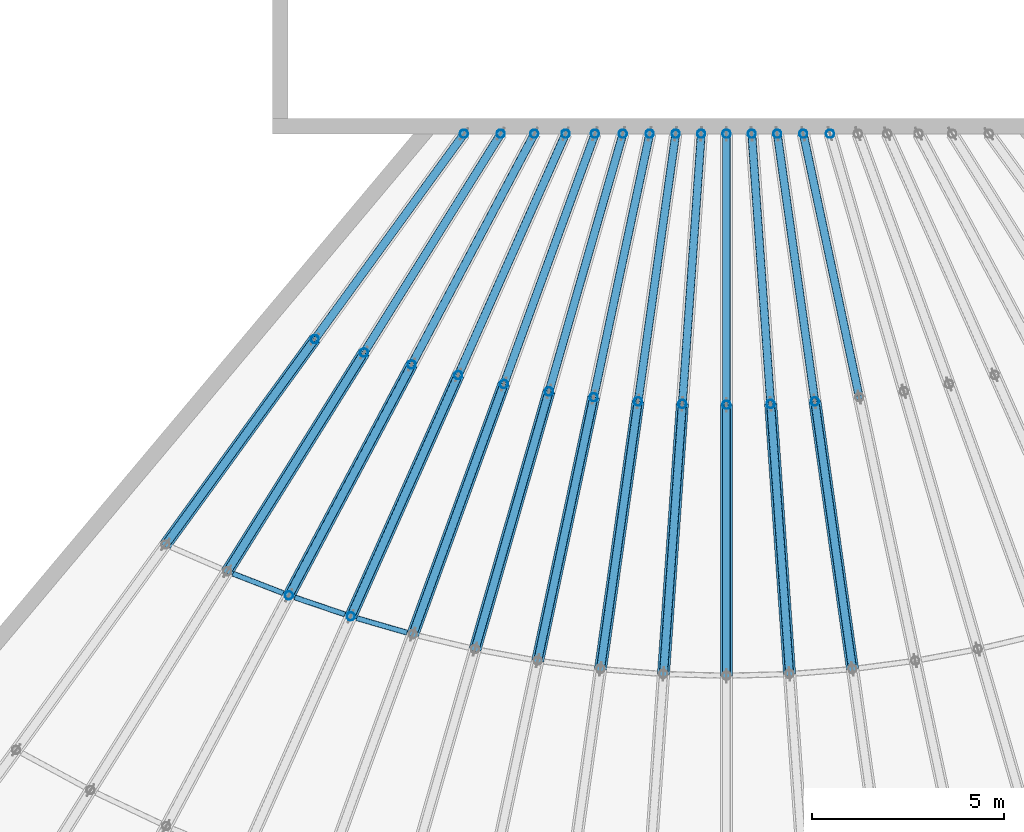
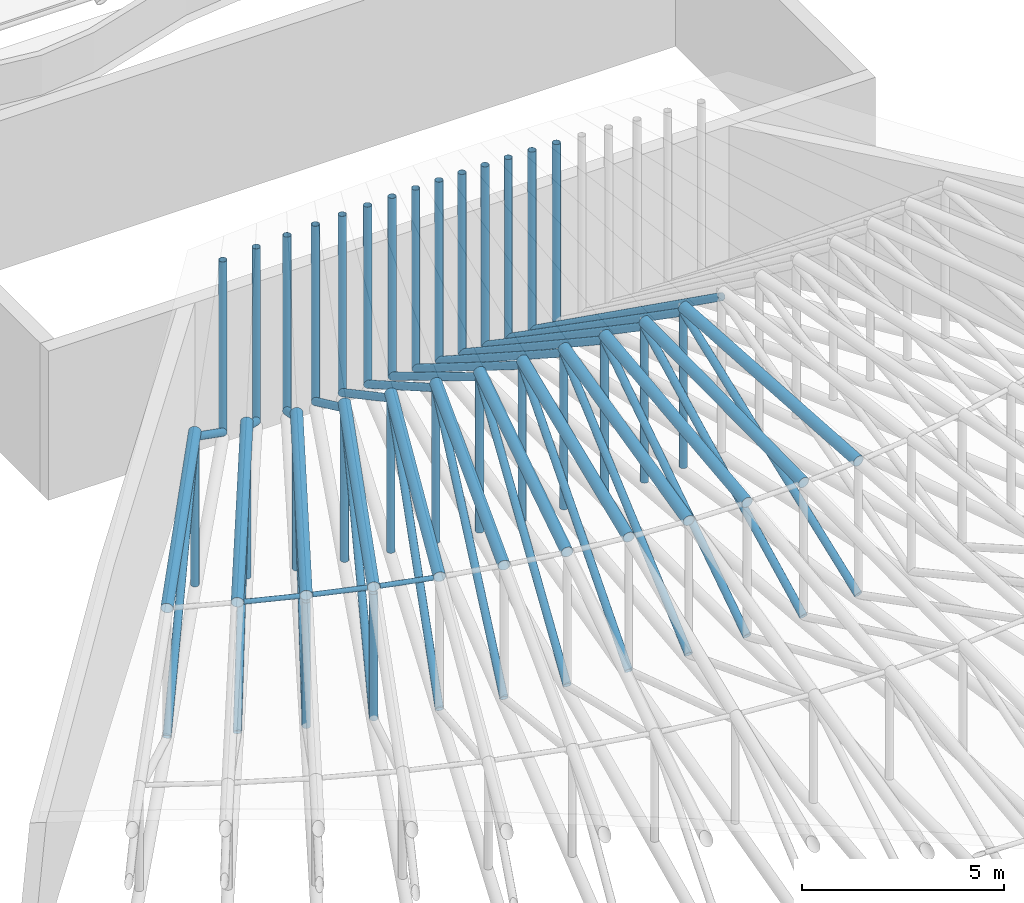
# One storey, part 43 of 163: 68 members.
"""IFC4 building model written with IfcOpenShell, lengths in metres."""

from ifc_helpers import new_model, si_unit, direction, frame, origin, origin_2d, place, context, subcontext, project, spatial, hollow_circle, extrude, material, material_profile, profile_set, type_object, element, save


model = new_model("IFC4")

# Units and contexts
model_context = context("Model", 3, precision=1e-05, world=origin(), true_north=direction((0.0, 1.0)))
body_context = subcontext(model_context, "Body", "Model", "MODEL_VIEW")
ifc_project = project(units=[si_unit("LENGTHUNIT", "METRE"), si_unit("AREAUNIT", "SQUARE_METRE"), si_unit("VOLUMEUNIT", "CUBIC_METRE"), si_unit("PLANEANGLEUNIT", "RADIAN"), si_unit("MASSUNIT", "GRAM", prefix="KILO")], contexts=[model_context])

# Site, building, storey
site_placement = place(None, origin())
site = spatial("IfcSite", under=ifc_project, at=site_placement, CompositionType="ELEMENT")
building_placement = place(site_placement, origin())
building = spatial("IfcBuilding", under=site, at=building_placement, Name="Rain Tree Exposition and Congress Centre", CompositionType="ELEMENT")
storey_placement = place(building_placement, frame((0.0, 0.0, 10.5)))
storey = spatial("IfcBuildingStorey", under=building, at=storey_placement, Name="L02", CompositionType="ELEMENT", Elevation=10.5)

# Members
ifc_material_1 = material(Name="Steel S355J2H", Category="steel")
ifc_material_profile_1 = material_profile(ifc_material_1, hollow_circle(Radius=0.108154296875, WallThickness=0.008056640625, at=origin_2d()), Name="CHS 216x8")
ifc_profile_set_1 = profile_set([ifc_material_profile_1], Name="Steel S355J2H")
member_type_1 = type_object("IfcMemberType", Name="Steel brace member CHS 216x8", PredefinedType="BRACE", material=ifc_profile_set_1)
member_1_placement = place(storey_placement, frame((187.0205078125, 47.133056640625, 0.318603515625), z_axis=(0.48694084502, 0.670229461701, 0.56007239007), x_axis=(-0.809022368393, 0.58777785552, 0.0)))
element("IfcMember", 1, at=member_1_placement, inside=storey, type_object=member_type_1, Name="TD1-5", PredefinedType="BRACE", context=body_context, shape_type="SweptSolid", body=[
    extrude(hollow_circle(Radius=0.108154296875, WallThickness=0.008056640625, at=origin_2d()), origin(), (0.0, 0.0, 1.0), 7.96533203125),
])
member_2_placement = place(storey_placement, frame((190.899169921875, 52.4716796875, 4.77978515625), z_axis=(0.486950848186, 0.670212579243, -0.560083895569), x_axis=(-0.80900958585, 0.587795449117, 0.0)))
element("IfcMember", 2, at=member_2_placement, inside=storey, type_object=member_type_1, Name="TD1-6", PredefinedType="BRACE", context=body_context, shape_type="SweptSolid", body=[
    extrude(hollow_circle(Radius=0.108154296875, WallThickness=0.008056640625, at=origin_2d()), origin(), (0.0, 0.0, 1.0), 7.965087890625),
])
member_3_placement = place(storey_placement, frame((188.625732421875, 46.436767578125, 0.318603515625), z_axis=(0.439748930668, 0.703719140715, 0.558032480208), x_axis=(-0.848039210505, 0.529933483982, 0.0)))
element("IfcMember", 3, at=member_3_placement, inside=storey, type_object=member_type_1, Name="TD2-5", PredefinedType="BRACE", context=body_context, shape_type="SweptSolid", body=[
    extrude(hollow_circle(Radius=0.108154296875, WallThickness=0.008056640625, at=origin_2d()), origin(), (0.0, 0.0, 1.0), 8.08056640625),
])
member_4_placement = place(storey_placement, frame((192.17919921875, 52.123291015625, 4.827880859375), z_axis=(0.439715210504, 0.703743740434, -0.558028029271), x_axis=(-0.84806579624, 0.529890937126, 0.0)))
element("IfcMember", 4, at=member_4_placement, inside=storey, type_object=member_type_1, Name="TD2-6", PredefinedType="BRACE", context=body_context, shape_type="SweptSolid", body=[
    extrude(hollow_circle(Radius=0.108154296875, WallThickness=0.008056640625, at=origin_2d()), origin(), (0.0, 0.0, 1.0), 8.080810546875),
])
member_5_placement = place(storey_placement, frame((190.22900390625, 45.814208984375, 0.318603515625), z_axis=(0.390100076384, 0.733643770691, 0.556406998637), x_axis=(-0.88294022737, 0.469485414993, 0.0)))
element("IfcMember", 5, at=member_5_placement, inside=storey, type_object=member_type_1, Name="TD3-5", PredefinedType="BRACE", context=body_context, shape_type="SweptSolid", body=[
    extrude(hollow_circle(Radius=0.108154296875, WallThickness=0.008056640625, at=origin_2d()), origin(), (0.0, 0.0, 1.0), 8.17529296875),
])
member_6_placement = place(storey_placement, frame((193.418212890625, 51.81201171875, 4.867431640625), z_axis=(0.390066211297, 0.733666106198, -0.556401289917), x_axis=(-0.882963045938, 0.469442498618, 0.0)))
element("IfcMember", 6, at=member_6_placement, inside=storey, type_object=member_type_1, Name="TD3-6", PredefinedType="BRACE", context=body_context, shape_type="SweptSolid", body=[
    extrude(hollow_circle(Radius=0.108154296875, WallThickness=0.008056640625, at=origin_2d()), origin(), (0.0, 0.0, 1.0), 8.175537109375),
])
member_7_placement = place(storey_placement, frame((191.83544921875, 45.268310546875, 0.318603515625), z_axis=(0.338319081518, 0.759886667356, 0.555078779864), x_axis=(-0.913547360783, 0.406732368524, 0.0)))
element("IfcMember", 7, at=member_7_placement, inside=storey, type_object=member_type_1, Name="TD4-5", PredefinedType="BRACE", context=body_context, shape_type="SweptSolid", body=[
    extrude(hollow_circle(Radius=0.108154296875, WallThickness=0.008056640625, at=origin_2d()), origin(), (0.0, 0.0, 1.0), 8.25244140625),
])
member_8_placement = place(storey_placement, frame((194.62744140625, 51.539306640625, 4.8994140625), z_axis=(0.338300488748, 0.759881771184, -0.5550968142), x_axis=(-0.913554692478, 0.406715900661, 0.0)))
element("IfcMember", 8, at=member_8_placement, inside=storey, type_object=member_type_1, Name="TD4-6", PredefinedType="BRACE", context=body_context, shape_type="SweptSolid", body=[
    extrude(hollow_circle(Radius=0.108154296875, WallThickness=0.008056640625, at=origin_2d()), origin(), (0.0, 0.0, 1.0), 8.252197265625),
])
member_9_placement = place(storey_placement, frame((193.44775390625, 44.802001953125, 0.318603515625), z_axis=(0.28471612759, 0.782264607983, 0.554074733034), x_axis=(-0.939694514478, 0.342014940405, 0.0)))
element("IfcMember", 9, at=member_9_placement, inside=storey, type_object=member_type_1, Name="TD5-5", PredefinedType="BRACE", context=body_context, shape_type="SweptSolid", body=[
    extrude(hollow_circle(Radius=0.108154296875, WallThickness=0.008056640625, at=origin_2d()), origin(), (0.0, 0.0, 1.0), 8.314208984375),
])
member_10_placement = place(storey_placement, frame((195.81494140625, 51.305908203125, 4.92529296875), z_axis=(0.284736570653, 0.782269462594, -0.554057373586), x_axis=(-0.939687304086, 0.342034750487, 0.0)))
element("IfcMember", 10, at=member_10_placement, inside=storey, type_object=member_type_1, Name="TD5-6", PredefinedType="BRACE", context=body_context, shape_type="SweptSolid", body=[
    extrude(hollow_circle(Radius=0.108154296875, WallThickness=0.008056640625, at=origin_2d()), origin(), (0.0, 0.0, 1.0), 8.314453125),
])
for number, where, z_axis, x_axis, name in (
    (11, (195.067138671875, 44.4169921875, 0.318603515625), (0.229607032043, 0.800749050464, 0.553246390876), (-0.961262988359, 0.275632848571, 0.0), "TD6-5"),
    (12, (196.9873046875, 51.113525390625, 4.9453125), (0.229607032043, 0.800749050464, -0.553246390876), (-0.961262988359, 0.275632848571, 0.0), "TD6-6"),
):
    element("IfcMember", number, at=place(storey_placement, frame(where, z_axis=z_axis, x_axis=x_axis)), inside=storey, type_object=member_type_1, Name=name, PredefinedType="BRACE", context=body_context, shape_type="SweptSolid", body=[
        extrude(hollow_circle(Radius=0.108154296875, WallThickness=0.008056640625, at=origin_2d()), origin(), (0.0, 0.0, 1.0), 8.36279296875),
    ])
for number, where, z_axis, x_axis, name in (
    (13, (196.693359375, 44.11572265625, 0.318603515625), (0.173266889269, 0.815206035302, 0.552646093889), (-0.978150163492, 0.207899633622, 0.0), "TD7-5"),
    (14, (198.148681640625, 50.962890625, 4.96044921875), (0.173266889269, 0.815206035302, -0.552646093889), (-0.978150163492, 0.207899633622, 0.0), "TD7-6"),
):
    element("IfcMember", number, at=place(storey_placement, frame(where, z_axis=z_axis, x_axis=x_axis)), inside=storey, type_object=member_type_1, Name=name, PredefinedType="BRACE", context=body_context, shape_type="SweptSolid", body=[
        extrude(hollow_circle(Radius=0.108154296875, WallThickness=0.008056640625, at=origin_2d()), origin(), (0.0, 0.0, 1.0), 8.3994140625),
    ])
member_11_placement = place(storey_placement, frame((198.3251953125, 43.899658203125, 0.318603515625), z_axis=(0.116032753679, 0.825559711988, 0.552256789924), x_axis=(-0.990266762271, 0.139182396663, 0.0)))
element("IfcMember", 15, at=member_11_placement, inside=storey, type_object=member_type_1, Name="TD8-5", PredefinedType="BRACE", context=body_context, shape_type="SweptSolid", body=[
    extrude(hollow_circle(Radius=0.108154296875, WallThickness=0.008056640625, at=origin_2d()), origin(), (0.0, 0.0, 1.0), 8.424560546875),
])
member_12_placement = place(storey_placement, frame((199.302734375, 50.854736328125, 4.97119140625), z_axis=(0.116029977754, 0.825568940119, -0.552243577937), x_axis=(-0.990267435614, 0.13917760582, 0.0)))
element("IfcMember", 16, at=member_12_placement, inside=storey, type_object=member_type_1, Name="TD8-6", PredefinedType="BRACE", context=body_context, shape_type="SweptSolid", body=[
    extrude(hollow_circle(Radius=0.108154296875, WallThickness=0.008056640625, at=origin_2d()), origin(), (0.0, 0.0, 1.0), 8.4248046875),
])
for number, where, z_axis, x_axis, name in (
    (17, (199.961669921875, 43.76953125, 0.318603515625), (0.058144651248, 0.831815645086, 0.551998126918), (-0.997565849578, 0.069730737529, 0.0), "TD9-5"),
    (18, (200.452392578125, 50.789794921875, 4.977294921875), (0.058173481063, 0.831814245636, -0.551997198234), (-0.997563435782, 0.069765260628, 0.0), "TD9-6"),
):
    element("IfcMember", number, at=place(storey_placement, frame(where, z_axis=z_axis, x_axis=x_axis)), inside=storey, type_object=member_type_1, Name=name, PredefinedType="BRACE", context=body_context, shape_type="SweptSolid", body=[
        extrude(hollow_circle(Radius=0.108154296875, WallThickness=0.008056640625, at=origin_2d()), origin(), (0.0, 0.0, 1.0), 8.439697265625),
    ])
for number, where, z_axis, x_axis, name in (
    (19, (201.60009765625, 43.72607421875, 0.318603515625), (0.0, 0.833891505411, 0.55192839862), (-1.0, 0.0, 0.0), "TD10-5"),
    (20, (201.60009765625, 50.76806640625, 4.9794921875), (0.0, 0.833891505411, -0.55192839862), (-1.0, 0.0, 0.0), "TD10-6"),
):
    element("IfcMember", number, at=place(storey_placement, frame(where, z_axis=z_axis, x_axis=x_axis)), inside=storey, type_object=member_type_1, Name=name, PredefinedType="BRACE", context=body_context, shape_type="SweptSolid", body=[
        extrude(hollow_circle(Radius=0.108154296875, WallThickness=0.008056640625, at=origin_2d()), origin(), (0.0, 0.0, 1.0), 8.44482421875),
    ])
for number, where, z_axis, x_axis, name in (
    (21, (203.23828125, 43.76953125, 0.318603515625), (-0.058144651248, 0.831815645086, 0.551998126918), (-0.997565849578, -0.069730737529, 0.0), "TD11-5"),
    (22, (202.74755859375, 50.789794921875, 4.977294921875), (-0.058173481063, 0.831814245636, -0.551997198234), (-0.997563435782, -0.069765260628, 0.0), "TD11-6"),
):
    element("IfcMember", number, at=place(storey_placement, frame(where, z_axis=z_axis, x_axis=x_axis)), inside=storey, type_object=member_type_1, Name=name, PredefinedType="BRACE", context=body_context, shape_type="SweptSolid", body=[
        extrude(hollow_circle(Radius=0.108154296875, WallThickness=0.008056640625, at=origin_2d()), origin(), (0.0, 0.0, 1.0), 8.439697265625),
    ])
member_13_placement = place(storey_placement, frame((204.874755859375, 43.899658203125, 0.318603515625), z_axis=(-0.116032753679, 0.825559711988, 0.552256789924), x_axis=(-0.990266762271, -0.139182396663, 0.0)))
element("IfcMember", 23, at=member_13_placement, inside=storey, type_object=member_type_1, Name="TD12-5", PredefinedType="BRACE", context=body_context, shape_type="SweptSolid", body=[
    extrude(hollow_circle(Radius=0.108154296875, WallThickness=0.008056640625, at=origin_2d()), origin(), (0.0, 0.0, 1.0), 8.424560546875),
])
member_14_placement = place(storey_placement, frame((203.897216796875, 50.854736328125, 4.97119140625), z_axis=(-0.116029977754, 0.825568940119, -0.552243577937), x_axis=(-0.990267435614, -0.13917760582, 0.0)))
element("IfcMember", 24, at=member_14_placement, inside=storey, type_object=member_type_1, Name="TD12-6", PredefinedType="BRACE", context=body_context, shape_type="SweptSolid", body=[
    extrude(hollow_circle(Radius=0.108154296875, WallThickness=0.008056640625, at=origin_2d()), origin(), (0.0, 0.0, 1.0), 8.4248046875),
])
member_15_placement = place(storey_placement, frame((205.05126953125, 50.962890625, 4.96044921875), z_axis=(-0.173266889269, 0.815206035302, -0.552646093889), x_axis=(-0.978150163492, -0.207899633622, 0.0)))
element("IfcMember", 25, at=member_15_placement, inside=storey, type_object=member_type_1, Name="TD13-6", PredefinedType="BRACE", context=body_context, shape_type="SweptSolid", body=[
    extrude(hollow_circle(Radius=0.108154296875, WallThickness=0.008056640625, at=origin_2d()), origin(), (0.0, 0.0, 1.0), 8.3994140625),
])
ifc_material_2 = material(Name="Steel S355J2H", Category="steel")
ifc_material_profile_2 = material_profile(ifc_material_2, hollow_circle(Radius=0.1591796875, WallThickness=0.010009765625, at=origin_2d()), Name="CHS 318x10")
ifc_profile_set_2 = profile_set([ifc_material_profile_2], Name="Steel S355J2H")
member_type_2 = type_object("IfcMemberType", Name="Steel chord member CHS 318x10", PredefinedType="CHORD", material=ifc_profile_set_2)
member_16_placement = place(storey_placement, frame((187.0205078125, 47.133056640625, 4.198486328125), z_axis=(0.584092669879, 0.80395004798, 0.11180372689), x_axis=(-0.809022368393, 0.58777785552, 0.0)))
element("IfcMember", 26, at=member_16_placement, inside=storey, type_object=member_type_2, Name="TT1-5", PredefinedType="CHORD", context=body_context, shape_type="SweptSolid", body=[
    extrude(hollow_circle(Radius=0.1591796875, WallThickness=0.010009765625, at=origin_2d()), origin(), (0.0, 0.0, 1.0), 6.640380859375),
])
member_17_placement = place(storey_placement, frame((188.625732421875, 46.436767578125, 4.234619140625), z_axis=(0.526611269539, 0.842722754387, 0.111798613732), x_axis=(-0.848039210505, 0.529933483982, 0.0)))
element("IfcMember", 27, at=member_17_placement, inside=storey, type_object=member_type_2, Name="TT2-5", PredefinedType="CHORD", context=body_context, shape_type="SweptSolid", body=[
    extrude(hollow_circle(Radius=0.1591796875, WallThickness=0.010009765625, at=origin_2d()), origin(), (0.0, 0.0, 1.0), 6.747802734375),
])
member_18_placement = place(storey_placement, frame((190.22900390625, 45.814208984375, 4.26416015625), z_axis=(0.46654274878, 0.877406086601, 0.111787399807), x_axis=(-0.88294022737, 0.469485414993, 0.0)))
element("IfcMember", 28, at=member_18_placement, inside=storey, type_object=member_type_2, Name="TT3-5", PredefinedType="CHORD", context=body_context, shape_type="SweptSolid", body=[
    extrude(hollow_circle(Radius=0.1591796875, WallThickness=0.010009765625, at=origin_2d()), origin(), (0.0, 0.0, 1.0), 6.8359375),
])
member_19_placement = place(storey_placement, frame((191.83544921875, 45.268310546875, 4.2880859375), z_axis=(0.404182909881, 0.907821110808, 0.11179000909), x_axis=(-0.913547360783, 0.406732368524, 0.0)))
element("IfcMember", 29, at=member_19_placement, inside=storey, type_object=member_type_2, Name="TT4-5", PredefinedType="CHORD", context=body_context, shape_type="SweptSolid", body=[
    extrude(hollow_circle(Radius=0.1591796875, WallThickness=0.010009765625, at=origin_2d()), origin(), (0.0, 0.0, 1.0), 6.90771484375),
])
member_20_placement = place(storey_placement, frame((193.44775390625, 44.802001953125, 4.3076171875), z_axis=(0.339871402167, 0.933805090112, 0.111783199413), x_axis=(-0.939694514478, 0.342014940405, 0.0)))
element("IfcMember", 30, at=member_20_placement, inside=storey, type_object=member_type_2, Name="TT5-5", PredefinedType="CHORD", context=body_context, shape_type="SweptSolid", body=[
    extrude(hollow_circle(Radius=0.1591796875, WallThickness=0.010009765625, at=origin_2d()), origin(), (0.0, 0.0, 1.0), 6.96484375),
])
member_21_placement = place(storey_placement, frame((195.067138671875, 44.4169921875, 4.322509765625), z_axis=(0.273905113539, 0.955237553624, 0.111790898215), x_axis=(-0.961262988359, 0.275632848571, 0.0)))
element("IfcMember", 31, at=member_21_placement, inside=storey, type_object=member_type_2, Name="TT6-5", PredefinedType="CHORD", context=body_context, shape_type="SweptSolid", body=[
    extrude(hollow_circle(Radius=0.1591796875, WallThickness=0.010009765625, at=origin_2d()), origin(), (0.0, 0.0, 1.0), 7.01025390625),
])
member_22_placement = place(storey_placement, frame((196.693359375, 44.11572265625, 4.333984375), z_axis=(0.206596100399, 0.972017150106, 0.111806579414), x_axis=(-0.978150163492, 0.207899633622, 0.0)))
element("IfcMember", 32, at=member_22_placement, inside=storey, type_object=member_type_2, Name="TT7-5", PredefinedType="CHORD", context=body_context, shape_type="SweptSolid", body=[
    extrude(hollow_circle(Radius=0.1591796875, WallThickness=0.010009765625, at=origin_2d()), origin(), (0.0, 0.0, 1.0), 7.044189453125),
])
member_23_placement = place(storey_placement, frame((198.3251953125, 43.899658203125, 4.341796875), z_axis=(0.138309586076, 0.984056815218, 0.111815217315), x_axis=(-0.990266762271, 0.139182396663, 0.0)))
element("IfcMember", 33, at=member_23_placement, inside=storey, type_object=member_type_2, Name="TT8-5", PredefinedType="CHORD", context=body_context, shape_type="SweptSolid", body=[
    extrude(hollow_circle(Radius=0.1591796875, WallThickness=0.010009765625, at=origin_2d()), origin(), (0.0, 0.0, 1.0), 7.06787109375),
])
member_24_placement = place(storey_placement, frame((199.961669921875, 43.76953125, 4.3466796875), z_axis=(0.069293839493, 0.991315599313, 0.111766481411), x_axis=(-0.997565849578, 0.069730737529, 0.0)))
element("IfcMember", 34, at=member_24_placement, inside=storey, type_object=member_type_2, Name="TT9-5", PredefinedType="CHORD", context=body_context, shape_type="SweptSolid", body=[
    extrude(hollow_circle(Radius=0.1591796875, WallThickness=0.010009765625, at=origin_2d()), origin(), (0.0, 0.0, 1.0), 7.081787109375),
])
member_25_placement = place(storey_placement, frame((201.60009765625, 43.72607421875, 4.34814453125), z_axis=(0.0, 0.993731124787, 0.111796474134), x_axis=(-1.0, 0.0, 0.0)))
element("IfcMember", 35, at=member_25_placement, inside=storey, type_object=member_type_2, Name="TT10-5", PredefinedType="CHORD", context=body_context, shape_type="SweptSolid", body=[
    extrude(hollow_circle(Radius=0.1591796875, WallThickness=0.010009765625, at=origin_2d()), origin(), (0.0, 0.0, 1.0), 7.08642578125),
])
member_26_placement = place(storey_placement, frame((203.23828125, 43.76953125, 4.3466796875), z_axis=(-0.069293839493, 0.991315599313, 0.111766481411), x_axis=(-0.997565849578, -0.069730737529, 0.0)))
element("IfcMember", 36, at=member_26_placement, inside=storey, type_object=member_type_2, Name="TT11-5", PredefinedType="CHORD", context=body_context, shape_type="SweptSolid", body=[
    extrude(hollow_circle(Radius=0.1591796875, WallThickness=0.010009765625, at=origin_2d()), origin(), (0.0, 0.0, 1.0), 7.081787109375),
])
member_27_placement = place(storey_placement, frame((204.874755859375, 43.899658203125, 4.341796875), z_axis=(-0.138309586076, 0.984056815218, 0.111815217315), x_axis=(-0.990266762271, -0.139182396663, 0.0)))
element("IfcMember", 37, at=member_27_placement, inside=storey, type_object=member_type_2, Name="TT12-5", PredefinedType="CHORD", context=body_context, shape_type="SweptSolid", body=[
    extrude(hollow_circle(Radius=0.1591796875, WallThickness=0.010009765625, at=origin_2d()), origin(), (0.0, 0.0, 1.0), 7.06787109375),
])
ifc_material_3 = material(Name="Steel S355J2H", Category="steel")
ifc_material_profile_3 = material_profile(ifc_material_3, hollow_circle(Radius=0.108154296875, WallThickness=0.008056640625, at=origin_2d()), Name="CHS 216x8")
ifc_profile_set_3 = profile_set([ifc_material_profile_3], Name="Steel S355J2H")
member_type_3 = type_object("IfcMemberType", Name="Steel post member CHS 216x8", PredefinedType="POST", material=ifc_profile_set_3)
member_28_placement = place(storey_placement, frame((190.899169921875, 52.4716796875, 0.318603515625), z_axis=(0.0, 0.0, 1.0), x_axis=(1.0, 0.0, 0.0)))
element("IfcMember", 38, at=member_28_placement, inside=storey, type_object=member_type_3, Name="TP1-5", PredefinedType="POST", context=body_context, shape_type="SweptSolid", body=[
    extrude(hollow_circle(Radius=0.108154296875, WallThickness=0.008056640625, at=origin_2d()), origin(), (0.0, 0.0, 1.0), 4.461181640625),
])
member_29_placement = place(storey_placement, frame((194.77783203125, 57.81005859375, 0.318603515625), z_axis=(0.0, 0.0, 1.0), x_axis=(1.0, 0.0, 0.0)))
element("IfcMember", 39, at=member_29_placement, inside=storey, type_object=member_type_3, Name="TP1-6", PredefinedType="POST", context=body_context, shape_type="SweptSolid", body=[
    extrude(hollow_circle(Radius=0.108154296875, WallThickness=0.008056640625, at=origin_2d()), origin(), (0.0, 0.0, 1.0), 5.20361328125),
])
member_30_placement = place(storey_placement, frame((192.17919921875, 52.123291015625, 0.318603515625), z_axis=(0.0, 0.0, 1.0), x_axis=(1.0, 0.0, 0.0)))
element("IfcMember", 40, at=member_30_placement, inside=storey, type_object=member_type_3, Name="TP2-5", PredefinedType="POST", context=body_context, shape_type="SweptSolid", body=[
    extrude(hollow_circle(Radius=0.108154296875, WallThickness=0.008056640625, at=origin_2d()), origin(), (0.0, 0.0, 1.0), 4.50927734375),
])
member_31_placement = place(storey_placement, frame((195.732421875, 57.81005859375, 0.318603515625), z_axis=(0.0, 0.0, 1.0), x_axis=(1.0, 0.0, 0.0)))
element("IfcMember", 41, at=member_31_placement, inside=storey, type_object=member_type_3, Name="TP2-6", PredefinedType="POST", context=body_context, shape_type="SweptSolid", body=[
    extrude(hollow_circle(Radius=0.108154296875, WallThickness=0.008056640625, at=origin_2d()), origin(), (0.0, 0.0, 1.0), 5.263671875),
])
member_32_placement = place(storey_placement, frame((190.22900390625, 45.814208984375, 0.318603515625), z_axis=(0.0, 0.0, 1.0), x_axis=(1.0, 0.0, 0.0)))
element("IfcMember", 42, at=member_32_placement, inside=storey, type_object=member_type_3, Name="TP3-4", PredefinedType="POST", context=body_context, shape_type="SweptSolid", body=[
    extrude(hollow_circle(Radius=0.108154296875, WallThickness=0.008056640625, at=origin_2d()), origin(), (0.0, 0.0, 1.0), 3.784423828125),
])
member_33_placement = place(storey_placement, frame((193.418212890625, 51.81201171875, 0.318603515625), z_axis=(0.0, 0.0, 1.0), x_axis=(1.0, 0.0, 0.0)))
element("IfcMember", 43, at=member_33_placement, inside=storey, type_object=member_type_3, Name="TP3-5", PredefinedType="POST", context=body_context, shape_type="SweptSolid", body=[
    extrude(hollow_circle(Radius=0.108154296875, WallThickness=0.008056640625, at=origin_2d()), origin(), (0.0, 0.0, 1.0), 4.548828125),
])
member_34_placement = place(storey_placement, frame((196.607177734375, 57.81005859375, 0.318603515625), z_axis=(0.0, 0.0, 1.0), x_axis=(1.0, 0.0, 0.0)))
element("IfcMember", 44, at=member_34_placement, inside=storey, type_object=member_type_3, Name="TP3-6", PredefinedType="POST", context=body_context, shape_type="SweptSolid", body=[
    extrude(hollow_circle(Radius=0.108154296875, WallThickness=0.008056640625, at=origin_2d()), origin(), (0.0, 0.0, 1.0), 5.31298828125),
])
member_35_placement = place(storey_placement, frame((191.83544921875, 45.268310546875, 0.318603515625), z_axis=(0.0, 0.0, 1.0), x_axis=(1.0, 0.0, 0.0)))
element("IfcMember", 45, at=member_35_placement, inside=storey, type_object=member_type_3, Name="TP4-4", PredefinedType="POST", context=body_context, shape_type="SweptSolid", body=[
    extrude(hollow_circle(Radius=0.108154296875, WallThickness=0.008056640625, at=origin_2d()), origin(), (0.0, 0.0, 1.0), 3.80859375),
])
member_36_placement = place(storey_placement, frame((194.62744140625, 51.539306640625, 0.318603515625), z_axis=(0.0, 0.0, 1.0), x_axis=(1.0, 0.0, 0.0)))
element("IfcMember", 46, at=member_36_placement, inside=storey, type_object=member_type_3, Name="TP4-5", PredefinedType="POST", context=body_context, shape_type="SweptSolid", body=[
    extrude(hollow_circle(Radius=0.108154296875, WallThickness=0.008056640625, at=origin_2d()), origin(), (0.0, 0.0, 1.0), 4.580810546875),
])
member_37_placement = place(storey_placement, frame((197.419189453125, 57.81005859375, 0.318603515625), z_axis=(0.0, 0.0, 1.0), x_axis=(1.0, 0.0, 0.0)))
element("IfcMember", 47, at=member_37_placement, inside=storey, type_object=member_type_3, Name="TP4-6", PredefinedType="POST", context=body_context, shape_type="SweptSolid", body=[
    extrude(hollow_circle(Radius=0.108154296875, WallThickness=0.008056640625, at=origin_2d()), origin(), (0.0, 0.0, 1.0), 5.35302734375),
])
member_38_placement = place(storey_placement, frame((195.81494140625, 51.305908203125, 0.318603515625), z_axis=(0.0, 0.0, 1.0), x_axis=(1.0, 0.0, 0.0)))
element("IfcMember", 48, at=member_38_placement, inside=storey, type_object=member_type_3, Name="TP5-5", PredefinedType="POST", context=body_context, shape_type="SweptSolid", body=[
    extrude(hollow_circle(Radius=0.108154296875, WallThickness=0.008056640625, at=origin_2d()), origin(), (0.0, 0.0, 1.0), 4.606689453125),
])
member_39_placement = place(storey_placement, frame((198.182373046875, 57.81005859375, 0.318603515625), z_axis=(0.0, 0.0, 1.0), x_axis=(1.0, 0.0, 0.0)))
element("IfcMember", 49, at=member_39_placement, inside=storey, type_object=member_type_3, Name="TP5-6", PredefinedType="POST", context=body_context, shape_type="SweptSolid", body=[
    extrude(hollow_circle(Radius=0.108154296875, WallThickness=0.008056640625, at=origin_2d()), origin(), (0.0, 0.0, 1.0), 5.38525390625),
])
member_40_placement = place(storey_placement, frame((196.9873046875, 51.113525390625, 0.318603515625), z_axis=(0.0, 0.0, 1.0), x_axis=(1.0, 0.0, 0.0)))
element("IfcMember", 50, at=member_40_placement, inside=storey, type_object=member_type_3, Name="TP6-5", PredefinedType="POST", context=body_context, shape_type="SweptSolid", body=[
    extrude(hollow_circle(Radius=0.108154296875, WallThickness=0.008056640625, at=origin_2d()), origin(), (0.0, 0.0, 1.0), 4.626708984375),
])
member_41_placement = place(storey_placement, frame((198.907470703125, 57.81005859375, 0.318603515625), z_axis=(0.0, 0.0, 1.0), x_axis=(1.0, 0.0, 0.0)))
element("IfcMember", 51, at=member_41_placement, inside=storey, type_object=member_type_3, Name="TP6-6", PredefinedType="POST", context=body_context, shape_type="SweptSolid", body=[
    extrude(hollow_circle(Radius=0.108154296875, WallThickness=0.008056640625, at=origin_2d()), origin(), (0.0, 0.0, 1.0), 5.410400390625),
])
member_42_placement = place(storey_placement, frame((198.148681640625, 50.962890625, 0.318603515625), z_axis=(0.0, 0.0, 1.0), x_axis=(1.0, 0.0, 0.0)))
element("IfcMember", 52, at=member_42_placement, inside=storey, type_object=member_type_3, Name="TP7-5", PredefinedType="POST", context=body_context, shape_type="SweptSolid", body=[
    extrude(hollow_circle(Radius=0.108154296875, WallThickness=0.008056640625, at=origin_2d()), origin(), (0.0, 0.0, 1.0), 4.641845703125),
])
member_43_placement = place(storey_placement, frame((199.60400390625, 57.81005859375, 0.318603515625), z_axis=(0.0, 0.0, 1.0), x_axis=(1.0, 0.0, 0.0)))
element("IfcMember", 53, at=member_43_placement, inside=storey, type_object=member_type_3, Name="TP7-6", PredefinedType="POST", context=body_context, shape_type="SweptSolid", body=[
    extrude(hollow_circle(Radius=0.108154296875, WallThickness=0.008056640625, at=origin_2d()), origin(), (0.0, 0.0, 1.0), 5.429443359375),
])
member_44_placement = place(storey_placement, frame((199.302734375, 50.854736328125, 0.318603515625), z_axis=(0.0, 0.0, 1.0), x_axis=(1.0, 0.0, 0.0)))
element("IfcMember", 54, at=member_44_placement, inside=storey, type_object=member_type_3, Name="TP8-5", PredefinedType="POST", context=body_context, shape_type="SweptSolid", body=[
    extrude(hollow_circle(Radius=0.108154296875, WallThickness=0.008056640625, at=origin_2d()), origin(), (0.0, 0.0, 1.0), 4.652587890625),
])
member_45_placement = place(storey_placement, frame((200.2802734375, 57.81005859375, 0.318603515625), z_axis=(0.0, 0.0, 1.0), x_axis=(1.0, 0.0, 0.0)))
element("IfcMember", 55, at=member_45_placement, inside=storey, type_object=member_type_3, Name="TP8-6", PredefinedType="POST", context=body_context, shape_type="SweptSolid", body=[
    extrude(hollow_circle(Radius=0.108154296875, WallThickness=0.008056640625, at=origin_2d()), origin(), (0.0, 0.0, 1.0), 5.442626953125),
])
member_46_placement = place(storey_placement, frame((200.452392578125, 50.789794921875, 0.318603515625), z_axis=(0.0, 0.0, 1.0), x_axis=(1.0, 0.0, 0.0)))
element("IfcMember", 56, at=member_46_placement, inside=storey, type_object=member_type_3, Name="TP9-5", PredefinedType="POST", context=body_context, shape_type="SweptSolid", body=[
    extrude(hollow_circle(Radius=0.108154296875, WallThickness=0.008056640625, at=origin_2d()), origin(), (0.0, 0.0, 1.0), 4.65869140625),
])
member_47_placement = place(storey_placement, frame((200.943359375, 57.81005859375, 0.318603515625), z_axis=(0.0, 0.0, 1.0), x_axis=(1.0, 0.0, 0.0)))
element("IfcMember", 57, at=member_47_placement, inside=storey, type_object=member_type_3, Name="TP9-6", PredefinedType="POST", context=body_context, shape_type="SweptSolid", body=[
    extrude(hollow_circle(Radius=0.108154296875, WallThickness=0.008056640625, at=origin_2d()), origin(), (0.0, 0.0, 1.0), 5.450439453125),
])
member_48_placement = place(storey_placement, frame((201.60009765625, 50.76806640625, 0.318603515625), z_axis=(0.0, 0.0, 1.0), x_axis=(1.0, 0.0, 0.0)))
element("IfcMember", 58, at=member_48_placement, inside=storey, type_object=member_type_3, Name="TP10-5", PredefinedType="POST", context=body_context, shape_type="SweptSolid", body=[
    extrude(hollow_circle(Radius=0.108154296875, WallThickness=0.008056640625, at=origin_2d()), origin(), (0.0, 0.0, 1.0), 4.660888671875),
])
member_49_placement = place(storey_placement, frame((201.60009765625, 57.81005859375, 0.318603515625), z_axis=(0.0, 0.0, 1.0), x_axis=(1.0, 0.0, 0.0)))
element("IfcMember", 59, at=member_49_placement, inside=storey, type_object=member_type_3, Name="TP10-6", PredefinedType="POST", context=body_context, shape_type="SweptSolid", body=[
    extrude(hollow_circle(Radius=0.108154296875, WallThickness=0.008056640625, at=origin_2d()), origin(), (0.0, 0.0, 1.0), 5.452880859375),
])
member_50_placement = place(storey_placement, frame((202.74755859375, 50.789794921875, 0.318603515625), z_axis=(0.0, 0.0, 1.0), x_axis=(1.0, 0.0, 0.0)))
element("IfcMember", 60, at=member_50_placement, inside=storey, type_object=member_type_3, Name="TP11-5", PredefinedType="POST", context=body_context, shape_type="SweptSolid", body=[
    extrude(hollow_circle(Radius=0.108154296875, WallThickness=0.008056640625, at=origin_2d()), origin(), (0.0, 0.0, 1.0), 4.65869140625),
])
member_51_placement = place(storey_placement, frame((202.256591796875, 57.81005859375, 0.318603515625), z_axis=(0.0, 0.0, 1.0), x_axis=(1.0, 0.0, 0.0)))
element("IfcMember", 61, at=member_51_placement, inside=storey, type_object=member_type_3, Name="TP11-6", PredefinedType="POST", context=body_context, shape_type="SweptSolid", body=[
    extrude(hollow_circle(Radius=0.108154296875, WallThickness=0.008056640625, at=origin_2d()), origin(), (0.0, 0.0, 1.0), 5.450439453125),
])
member_52_placement = place(storey_placement, frame((203.897216796875, 50.854736328125, 0.318603515625), z_axis=(0.0, 0.0, 1.0), x_axis=(1.0, 0.0, 0.0)))
element("IfcMember", 62, at=member_52_placement, inside=storey, type_object=member_type_3, Name="TP12-5", PredefinedType="POST", context=body_context, shape_type="SweptSolid", body=[
    extrude(hollow_circle(Radius=0.108154296875, WallThickness=0.008056640625, at=origin_2d()), origin(), (0.0, 0.0, 1.0), 4.652587890625),
])
member_53_placement = place(storey_placement, frame((202.919677734375, 57.81005859375, 0.318603515625), z_axis=(0.0, 0.0, 1.0), x_axis=(1.0, 0.0, 0.0)))
element("IfcMember", 63, at=member_53_placement, inside=storey, type_object=member_type_3, Name="TP12-6", PredefinedType="POST", context=body_context, shape_type="SweptSolid", body=[
    extrude(hollow_circle(Radius=0.108154296875, WallThickness=0.008056640625, at=origin_2d()), origin(), (0.0, 0.0, 1.0), 5.442626953125),
])
member_54_placement = place(storey_placement, frame((203.595947265625, 57.81005859375, 0.318603515625), z_axis=(0.0, 0.0, 1.0), x_axis=(1.0, 0.0, 0.0)))
element("IfcMember", 64, at=member_54_placement, inside=storey, type_object=member_type_3, Name="TP13-6", PredefinedType="POST", context=body_context, shape_type="SweptSolid", body=[
    extrude(hollow_circle(Radius=0.108154296875, WallThickness=0.008056640625, at=origin_2d()), origin(), (0.0, 0.0, 1.0), 5.429443359375),
])
member_55_placement = place(storey_placement, frame((204.29248046875, 57.81005859375, 0.318603515625), z_axis=(0.0, 0.0, 1.0), x_axis=(1.0, 0.0, 0.0)))
element("IfcMember", 65, at=member_55_placement, inside=storey, type_object=member_type_3, Name="TP14-6", PredefinedType="POST", context=body_context, shape_type="SweptSolid", body=[
    extrude(hollow_circle(Radius=0.108154296875, WallThickness=0.008056640625, at=origin_2d()), origin(), (0.0, 0.0, 1.0), 5.410400390625),
])
ifc_material_4 = material(Name="Steel S355J2H", Category="steel")
ifc_material_profile_4 = material_profile(ifc_material_4, hollow_circle(Radius=0.06982421875, WallThickness=0.0048828125, at=origin_2d()), Name="CHS 140x5")
ifc_profile_set_4 = profile_set([ifc_material_profile_4], Name="Steel S355J2H")
member_type_4 = type_object("IfcMemberType", Name="Steel purlin member CHS 140x5", PredefinedType="PURLIN", material=ifc_profile_set_4)
member_56_placement = place(storey_placement, frame((188.774169921875, 46.379150390625, 4.2373046875), z_axis=(0.932039235101, -0.361946838075, 0.017243858022), x_axis=(0.362000662641, 0.932177837243, 0.0)))
element("IfcMember", 66, at=member_56_placement, inside=storey, type_object=member_type_4, Name="PU2-4", PredefinedType="PURLIN", context=body_context, shape_type="SweptSolid", body=[
    extrude(hollow_circle(Radius=0.06982421875, WallThickness=0.0048828125, at=origin_2d()), origin(), (0.0, 0.0, 1.0), 1.401611328125),
])
member_57_placement = place(storey_placement, frame((190.3798828125, 45.762939453125, 4.266357421875), z_axis=(0.946729474571, -0.321717950191, 0.014172596925), x_axis=(0.321750265596, 0.946824570123, 0.0)))
element("IfcMember", 67, at=member_57_placement, inside=storey, type_object=member_type_4, Name="PU3-4", PredefinedType="PURLIN", context=body_context, shape_type="SweptSolid", body=[
    extrude(hollow_circle(Radius=0.06982421875, WallThickness=0.0048828125, at=origin_2d()), origin(), (0.0, 0.0, 1.0), 1.378173828125),
])
member_58_placement = place(storey_placement, frame((191.98828125, 45.22412109375, 4.2900390625), z_axis=(0.960561422914, -0.27783054609, 0.011486534205), x_axis=(0.27784887645, 0.960624797648, 0.0)))
element("IfcMember", 68, at=member_58_placement, inside=storey, type_object=member_type_4, Name="PU4-4", PredefinedType="PURLIN", context=body_context, shape_type="SweptSolid", body=[
    extrude(hollow_circle(Radius=0.06982421875, WallThickness=0.0048828125, at=origin_2d()), origin(), (0.0, 0.0, 1.0), 1.3603515625),
])

save(model, "model.ifc")
